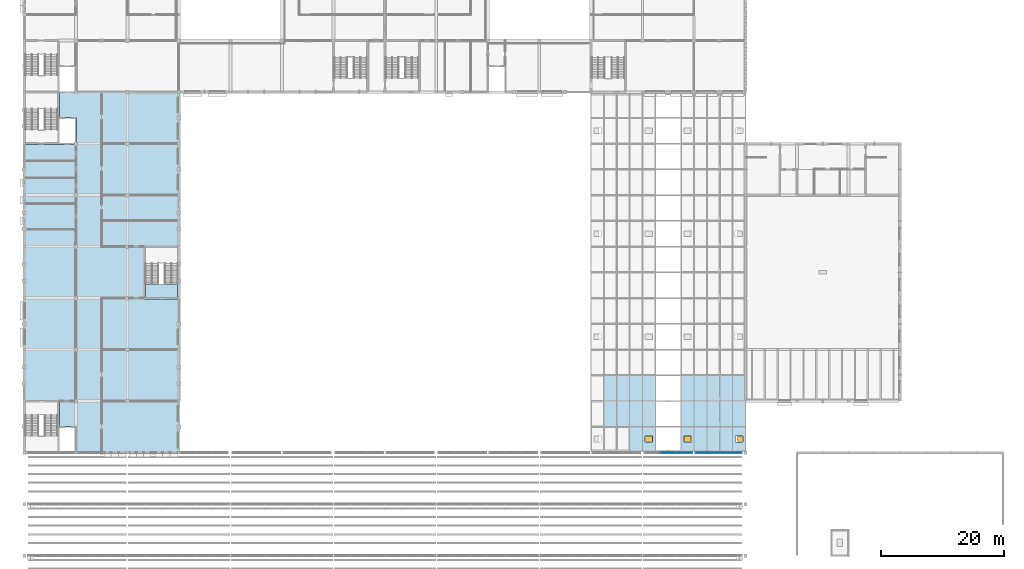
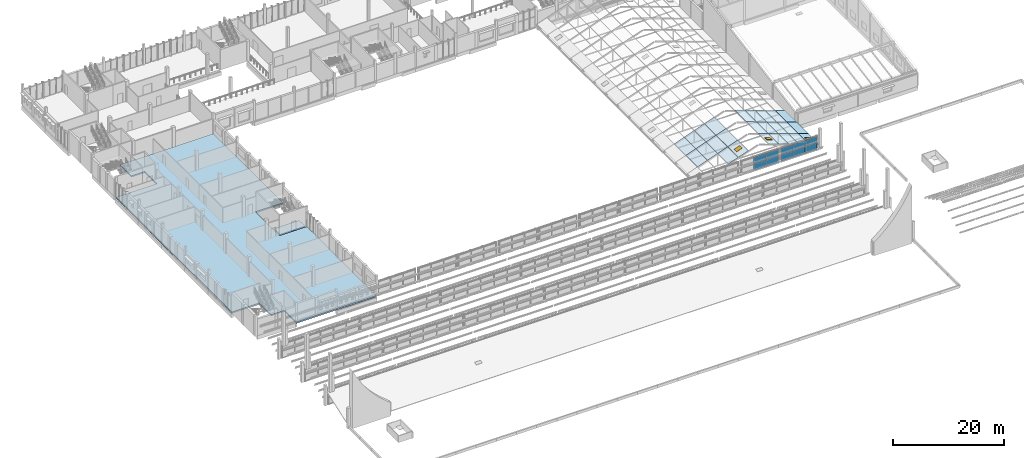
# One storey, part 85 of 116: 27 slabs, 10 plates, 3 windows, 3 openings, 3 elements without a shape of their own.
"""IFC4 building model written with IfcOpenShell, lengths in metres."""

from ifc_helpers import new_model, si_unit, direction, frame, origin, origin_2d, place, context, subcontext, project, spatial, polyline, rectangle, outline, extrude, material, layer, layer_set, type_object, element, fill, aggregate, save


model = new_model("IFC4")

# Units and contexts
model_context = context("Model", 3, precision=1e-05, world=origin(), true_north=direction((0.0, 1.0)))
body_context = subcontext(model_context, "Body", "Model", "MODEL_VIEW")
ifc_project = project(units=[si_unit("LENGTHUNIT", "METRE"), si_unit("AREAUNIT", "SQUARE_METRE"), si_unit("VOLUMEUNIT", "CUBIC_METRE"), si_unit("PLANEANGLEUNIT", "RADIAN"), si_unit("MASSUNIT", "GRAM", prefix="KILO")], contexts=[model_context])

# Site, building, storey
site_placement = place(None, origin())
site = spatial("IfcSite", under=ifc_project, at=site_placement, CompositionType="ELEMENT")
building_placement = place(site_placement, origin())
building = spatial("IfcBuilding", under=site, at=building_placement, Name="Fescue Hill Polytechnic", CompositionType="ELEMENT")
storey_placement = place(building_placement, frame((0.0, 0.0, 13.5)))
storey = spatial("IfcBuildingStorey", under=building, at=storey_placement, Name="L03", CompositionType="ELEMENT", Elevation=13.5)

# Curtain wall, plates
ifc_material_1 = material(Name="Aluminium and glass", Category="aluminium")
curtain_wall_type = type_object("IfcCurtainWallType", Name="Sawtooth north glazing curtain wall", PredefinedType="NOTDEFINED", material=ifc_material_1)
curtain_wall_1_placement = place(storey_placement, origin())
curtain_wall_1 = element("IfcCurtainWall", 1, at=curtain_wall_1_placement, inside=storey, type_object=curtain_wall_type, Name="Sawtooth 4 north glazing bay 7 part 1", PredefinedType="NOTDEFINED")
ifc_material_2 = material(Name="Glass", Category="glass")
ifc_layer_1 = layer(ifc_material_2, 0.028076171875)
ifc_layer_set_1 = layer_set([ifc_layer_1], Name="Glass")
plate_type = type_object("IfcPlateType", Name="Curtain wall glazing panel 28", PredefinedType="CURTAIN_PANEL", material=ifc_layer_set_1)
plate_1_placement = place(storey_placement, frame((105.050048828125, 50.39990234375, 0.06005859375), z_axis=(0.0, 0.0, 1.0), x_axis=(1.0, 0.0, 0.0)))
plate_1 = element("IfcPlate", 2, at=plate_1_placement, type_object=plate_type, Name="CW34 panel 2.1", PredefinedType="CURTAIN_PANEL", context=body_context, shape_type="SweptSolid", body=[
    extrude(rectangle(XDim=2.546630859375, YDim=0.028076171875, at=origin_2d()), origin(), (0.0, 0.0, 1.0), 1.409912109375),
])
plate_2_placement = place(storey_placement, frame((105.050048828125, 50.39990234375, 1.5302734375), z_axis=(0.0, 0.0, 1.0), x_axis=(1.0, 0.0, 0.0)))
plate_2 = element("IfcPlate", 3, at=plate_2_placement, type_object=plate_type, Name="CW34 panel 2.2", PredefinedType="CURTAIN_PANEL", context=body_context, shape_type="SweptSolid", body=[
    extrude(rectangle(XDim=2.546630859375, YDim=0.028076171875, at=origin_2d()), origin(), (0.0, 0.0, 1.0), 1.409912109375),
])
plate_3_placement = place(storey_placement, frame((107.6416015625, 50.39990234375, 0.06005859375), z_axis=(0.0, 0.0, 1.0), x_axis=(1.0, 0.0, 0.0)))
plate_3 = element("IfcPlate", 4, at=plate_3_placement, type_object=plate_type, Name="CW34 panel 3.1", PredefinedType="CURTAIN_PANEL", context=body_context, shape_type="SweptSolid", body=[
    extrude(rectangle(XDim=2.5166015625, YDim=0.028076171875, at=origin_2d()), origin(), (0.0, 0.0, 1.0), 1.409912109375),
])
plate_4_placement = place(storey_placement, frame((107.6416015625, 50.39990234375, 1.5302734375), z_axis=(0.0, 0.0, 1.0), x_axis=(1.0, 0.0, 0.0)))
plate_4 = element("IfcPlate", 5, at=plate_4_placement, type_object=plate_type, Name="CW34 panel 3.2", PredefinedType="CURTAIN_PANEL", context=body_context, shape_type="SweptSolid", body=[
    extrude(rectangle(XDim=2.5166015625, YDim=0.028076171875, at=origin_2d()), origin(), (0.0, 0.0, 1.0), 1.409912109375),
])
aggregate(curtain_wall_1, [plate_1, plate_2, plate_3, plate_4])

curtain_wall_2_placement = place(storey_placement, origin())
curtain_wall_2 = element("IfcCurtainWall", 6, at=curtain_wall_2_placement, inside=storey, type_object=curtain_wall_type, Name="Sawtooth 4 north glazing bay 7 part 2", PredefinedType="NOTDEFINED")
plate_5_placement = place(storey_placement, frame((110.719970703125, 50.39990234375, 0.06005859375), z_axis=(0.0, 0.0, 1.0), x_axis=(1.0, 0.0, 0.0)))
plate_5 = element("IfcPlate", 7, at=plate_5_placement, type_object=plate_type, Name="CW35 panel 1.1", PredefinedType="CURTAIN_PANEL", context=body_context, shape_type="SweptSolid", body=[
    extrude(rectangle(XDim=2.43994140625, YDim=0.028076171875, at=origin_2d()), origin(), (0.0, 0.0, 1.0), 1.409912109375),
])
plate_6_placement = place(storey_placement, frame((110.719970703125, 50.39990234375, 1.5302734375), z_axis=(0.0, 0.0, 1.0), x_axis=(1.0, 0.0, 0.0)))
plate_6 = element("IfcPlate", 8, at=plate_6_placement, type_object=plate_type, Name="CW35 panel 1.2", PredefinedType="CURTAIN_PANEL", context=body_context, shape_type="SweptSolid", body=[
    extrude(rectangle(XDim=2.43994140625, YDim=0.028076171875, at=origin_2d()), origin(), (0.0, 0.0, 1.0), 1.409912109375),
])
plate_7_placement = place(storey_placement, frame((113.235107421875, 50.39990234375, 0.06005859375), z_axis=(0.0, 0.0, 1.0), x_axis=(1.0, 0.0, 0.0)))
plate_7 = element("IfcPlate", 9, at=plate_7_placement, type_object=plate_type, Name="CW35 panel 2.1", PredefinedType="CURTAIN_PANEL", context=body_context, shape_type="SweptSolid", body=[
    extrude(rectangle(XDim=2.469970703125, YDim=0.028076171875, at=origin_2d()), origin(), (0.0, 0.0, 1.0), 1.409912109375),
])
plate_8_placement = place(storey_placement, frame((113.235107421875, 50.39990234375, 1.5302734375), z_axis=(0.0, 0.0, 1.0), x_axis=(1.0, 0.0, 0.0)))
plate_8 = element("IfcPlate", 10, at=plate_8_placement, type_object=plate_type, Name="CW35 panel 2.2", PredefinedType="CURTAIN_PANEL", context=body_context, shape_type="SweptSolid", body=[
    extrude(rectangle(XDim=2.469970703125, YDim=0.028076171875, at=origin_2d()), origin(), (0.0, 0.0, 1.0), 1.409912109375),
])
plate_9_placement = place(storey_placement, frame((115.75, 50.39990234375, 0.06005859375), z_axis=(0.0, 0.0, 1.0), x_axis=(1.0, 0.0, 0.0)))
plate_9 = element("IfcPlate", 11, at=plate_9_placement, type_object=plate_type, Name="CW35 panel 3.1", PredefinedType="CURTAIN_PANEL", context=body_context, shape_type="SweptSolid", body=[
    extrude(rectangle(XDim=2.43994140625, YDim=0.028076171875, at=origin_2d()), origin(), (0.0, 0.0, 1.0), 1.409912109375),
])
plate_10_placement = place(storey_placement, frame((115.75, 50.39990234375, 1.5302734375), z_axis=(0.0, 0.0, 1.0), x_axis=(1.0, 0.0, 0.0)))
plate_10 = element("IfcPlate", 12, at=plate_10_placement, type_object=plate_type, Name="CW35 panel 3.2", PredefinedType="CURTAIN_PANEL", context=body_context, shape_type="SweptSolid", body=[
    extrude(rectangle(XDim=2.43994140625, YDim=0.028076171875, at=origin_2d()), origin(), (0.0, 0.0, 1.0), 1.409912109375),
])
aggregate(curtain_wall_2, [plate_5, plate_6, plate_7, plate_8, plate_9, plate_10])

# Slab
ifc_material_3 = material(Name="Concrete 35 MPa", Category="concrete")
ifc_layer_2 = layer(ifc_material_3, 0.300048828125)
ifc_layer_set_2 = layer_set([ifc_layer_2], Name="Concrete 35 MPa")
slab_type_1 = type_object("IfcSlabType", Name="Floor slab 300", PredefinedType="FLOOR", material=ifc_layer_set_2)
slab_1_placement = place(storey_placement, frame((0.0, 0.0, -0.300048828125)))
element("IfcSlab", 13, at=slab_1_placement, inside=storey, type_object=slab_type_1, Name="SL-L03-V4-1", PredefinedType="FLOOR", context=body_context, shape_type="SweptSolid", body=[
    extrude(outline(polyline([(25.199951171875, 50.39990234375), (8.5, 50.39990234375), (8.5, 54.699951171875), (5.72509765625, 54.699951171875), (5.72509765625, 58.925048828125), (0.0, 58.925048828125), (0.0, 100.675048828125), (5.72509765625, 100.675048828125), (5.72509765625, 100.699951171875), (8.5, 100.699951171875), (8.5, 105.10009765625), (5.72509765625, 105.10009765625), (5.72509765625, 109.199951171875), (25.199951171875, 109.199951171875), (25.199951171875, 84.125), (19.47509765625, 84.125), (19.47509765625, 75.47509765625), (25.199951171875, 75.47509765625), (25.199951171875, 50.39990234375)])), origin(), (0.0, 0.0, 1.0), 0.300048828125),
])

# Stair, slab
stair_type = type_object("IfcStairType", Name="Half-turn stair 2150 flights", PredefinedType="HALF_TURN_STAIR", material=ifc_material_3)
stair_placement = place(storey_placement, origin())
stair = element("IfcStair", 14, at=stair_placement, inside=storey, type_object=stair_type, Name="L03 ST-V4-3 stair", PredefinedType="HALF_TURN_STAIR")
ifc_layer_3 = layer(ifc_material_3, 0.199951171875)
ifc_layer_set_3 = layer_set([ifc_layer_3], Name="Concrete 35 MPa")
slab_type_2 = type_object("IfcSlabType", Name="Stair landing slab 200", PredefinedType="LANDING", material=ifc_layer_set_3)
slab_2_placement = place(storey_placement, frame((0.0, 0.0, -0.199951171875)))
slab_2 = element("IfcSlab", 15, at=slab_2_placement, type_object=slab_type_2, Name="S17 landing 2", PredefinedType="LANDING", context=body_context, shape_type="SweptSolid", body=[
    extrude(outline(polyline([(19.72509765625, 75.72509765625), (24.97509765625, 75.72509765625), (24.97509765625, 77.875), (19.72509765625, 77.875), (19.72509765625, 75.72509765625)])), origin(), (0.0, 0.0, 1.0), 0.199951171875),
])
aggregate(stair, [slab_2])

# Slab
ifc_layer_4 = layer(ifc_material_2, 0.030029296875)
ifc_layer_set_4 = layer_set([ifc_layer_4], Name="Glass")
slab_type_3 = type_object("IfcSlabType", Name="Winter garden roof glazing 30", PredefinedType="ROOF", material=ifc_layer_set_4)
slab_3_placement = place(storey_placement, frame((98.69970703125, 50.75, 3.0224609375), z_axis=(-0.336294501436, 0.0, 0.941756873245), x_axis=(0.0, 1.0, 0.0)))
element("IfcSlab", 16, at=slab_3_placement, inside=storey, type_object=slab_type_3, Name="Winter garden roof glazing", PredefinedType="ROOF", context=body_context, shape_type="SweptSolid", body=[
    extrude(outline(polyline([(0.0, 0.0), (3.85009765625, 0.0), (3.85009765625, -2.214942687716117), (0.0, -2.214942687716117), (0.0, 0.0)])), origin(), (0.0, 0.0, -1.0), 0.030029296875),
])

# Slab, opening, window
slab_4_placement = place(storey_placement, frame((100.799560546875, 50.75, 3.7724609375), z_axis=(-0.336294501436, 0.0, 0.941756873245), x_axis=(0.0, 1.0, 0.0)))
slab_4 = element("IfcSlab", 17, at=slab_4_placement, inside=storey, type_object=slab_type_3, Name="Winter garden roof glazing", PredefinedType="ROOF", context=body_context, shape_type="SweptSolid", body=[
    extrude(outline(polyline([(0.0, 0.0), (3.85009765625, 0.0), (3.85009765625, -2.214942687716117), (0.0, -2.214942687716117), (0.0, 0.0)])), origin(), (0.0, 0.0, -1.0), 0.030029296875),
])
opening_1_placement = place(storey_placement, frame((101.85009765625, 52.64990234375, 3.801513671875)))
opening_1 = element("IfcOpeningElement", 18, at=opening_1_placement, cuts=slab_4, Name="Opening WH5", PredefinedType="OPENING", context=body_context, shape_type="SweptSolid", body=[
    extrude(rectangle(XDim=1.206787109375, YDim=0.93994140625, at=origin_2d()), origin(), (0.0, 0.0, 1.0), 0.660400390625),
])
ifc_material_4 = material(Name="Powder-coated aluminium and glass", Category="aluminium")
window_type = type_object("IfcWindowType", Name="Opening vent 900x1200", PartitioningType="SINGLE_PANEL", PredefinedType="SKYLIGHT", material=ifc_material_4)
window_1_placement = place(storey_placement, frame((101.85009765625, 52.64990234375, 4.147705078125), z_axis=(-0.336294501436, 0.0, 0.941756873245), x_axis=(0.0, 1.0, 0.0)))
window_1 = element("IfcWindow", 19, at=window_1_placement, inside=storey, type_object=window_type, Name="RLT-L03-WG-GLW-01-5", OverallHeight=1.199951171875, OverallWidth=0.89990234375, PartitioningType="SINGLE_PANEL", PredefinedType="SKYLIGHT", context=body_context, shape_type="SweptSolid", body=[
    extrude(rectangle(XDim=0.89990234375, YDim=1.199951171875, at=origin_2d()), origin(), (0.0, 0.0, -1.0), 0.030029296875),
])
fill(opening_1, window_1)

# Slabs
for number, where, z_axis, x_axis, name in (
    (20, (94.5, 54.60009765625, 1.5224609375), (-0.336329413726, 0.0, 0.941744405591), (0.0, 1.0, 0.0), "Winter garden roof glazing"),
    (21, (96.599853515625, 54.60009765625, 2.2724609375), (-0.336329413726, 0.0, 0.941744405591), (0.0, 1.0, 0.0), "Winter garden roof glazing"),
):
    element("IfcSlab", number, at=place(storey_placement, frame(where, z_axis=z_axis, x_axis=x_axis)), inside=storey, type_object=slab_type_3, Name=name, PredefinedType="ROOF", context=body_context, shape_type="SweptSolid", body=[
        extrude(outline(polyline([(0.0, 0.0), (4.199951171875, 0.0), (4.199951171875, -2.2147127681263368), (0.0, -2.2147127681263368), (0.0, 0.0)])), origin(), (0.0, 0.0, -1.0), 0.030029296875),
    ])
for number, where, z_axis, x_axis, name in (
    (22, (98.69970703125, 54.60009765625, 3.0224609375), (-0.336294501436, 0.0, 0.941756873245), (0.0, 1.0, 0.0), "Winter garden roof glazing"),
    (23, (100.799560546875, 54.60009765625, 3.7724609375), (-0.336294501436, 0.0, 0.941756873245), (0.0, 1.0, 0.0), "Winter garden roof glazing"),
):
    element("IfcSlab", number, at=place(storey_placement, frame(where, z_axis=z_axis, x_axis=x_axis)), inside=storey, type_object=slab_type_3, Name=name, PredefinedType="ROOF", context=body_context, shape_type="SweptSolid", body=[
        extrude(outline(polyline([(0.0, 0.0), (4.199951171875, 0.0), (4.199951171875, -2.214942687716117), (0.0, -2.214942687716117), (0.0, 0.0)])), origin(), (0.0, 0.0, -1.0), 0.030029296875),
    ])
for number, where, z_axis, x_axis, name in (
    (24, (94.5, 58.800048828125, 1.5224609375), (-0.336329413726, 0.0, 0.941744405591), (0.0, 1.0, 0.0), "Winter garden roof glazing"),
    (25, (96.599853515625, 58.800048828125, 2.2724609375), (-0.336329413726, 0.0, 0.941744405591), (0.0, 1.0, 0.0), "Winter garden roof glazing"),
):
    element("IfcSlab", number, at=place(storey_placement, frame(where, z_axis=z_axis, x_axis=x_axis)), inside=storey, type_object=slab_type_3, Name=name, PredefinedType="ROOF", context=body_context, shape_type="SweptSolid", body=[
        extrude(outline(polyline([(0.0, 0.0), (4.199951171875, 0.0), (4.199951171875, -2.2147127681263368), (0.0, -2.2147127681263368), (0.0, 0.0)])), origin(), (0.0, 0.0, -1.0), 0.030029296875),
    ])
for number, where, z_axis, x_axis, name in (
    (26, (98.69970703125, 58.800048828125, 3.0224609375), (-0.336294501436, 0.0, 0.941756873245), (0.0, 1.0, 0.0), "Winter garden roof glazing"),
    (27, (100.799560546875, 58.800048828125, 3.7724609375), (-0.336294501436, 0.0, 0.941756873245), (0.0, 1.0, 0.0), "Winter garden roof glazing"),
):
    element("IfcSlab", number, at=place(storey_placement, frame(where, z_axis=z_axis, x_axis=x_axis)), inside=storey, type_object=slab_type_3, Name=name, PredefinedType="ROOF", context=body_context, shape_type="SweptSolid", body=[
        extrude(outline(polyline([(0.0, 0.0), (4.199951171875, 0.0), (4.199951171875, -2.214942687716117), (0.0, -2.214942687716117), (0.0, 0.0)])), origin(), (0.0, 0.0, -1.0), 0.030029296875),
    ])

# Slab, opening, window
slab_5_placement = place(storey_placement, frame((117.60009765625, 50.75, 0.7724609375), z_axis=(0.336294501436, 0.0, 0.941756873245), x_axis=(0.0, 1.0, 0.0)))
slab_5 = element("IfcSlab", 28, at=slab_5_placement, inside=storey, type_object=slab_type_3, Name="Winter garden roof glazing", PredefinedType="ROOF", context=body_context, shape_type="SweptSolid", body=[
    extrude(outline(polyline([(0.0, 0.0), (3.85009765625, 0.0), (3.85009765625, 2.214942687716117), (0.0, 2.214942687716117), (0.0, 0.0)])), origin(), (0.0, 0.0, -1.0), 0.030029296875),
])
opening_2_placement = place(storey_placement, frame((116.56396484375, 52.64990234375, 0.79638671875)))
opening_2 = element("IfcOpeningElement", 29, at=opening_2_placement, cuts=slab_5, Name="Opening WH5", PredefinedType="OPENING", context=body_context, shape_type="SweptSolid", body=[
    extrude(rectangle(XDim=1.206787109375, YDim=0.93994140625, at=origin_2d()), origin(), (0.0, 0.0, 1.0), 0.660400390625),
])
window_2_placement = place(storey_placement, frame((116.56396484375, 52.64990234375, 1.142578125), z_axis=(0.336294501436, 0.0, 0.941756873245), x_axis=(0.0, 1.0, 0.0)))
window_2 = element("IfcWindow", 30, at=window_2_placement, inside=storey, type_object=window_type, Name="RLT-L03-WG-GLE-01-1", OverallHeight=1.199951171875, OverallWidth=0.89990234375, PartitioningType="SINGLE_PANEL", PredefinedType="SKYLIGHT", context=body_context, shape_type="SweptSolid", body=[
    extrude(rectangle(XDim=0.89990234375, YDim=1.199951171875, at=origin_2d()), origin(), (0.0, 0.0, -1.0), 0.030029296875),
])
fill(opening_2, window_2)

# Slabs
for number, where, z_axis, x_axis, name in (
    (31, (115.5, 50.75, 1.5224609375), (0.336329413726, 0.0, 0.941744405591), (0.0, 1.0, 0.0), "Winter garden roof glazing"),
    (32, (113.400146484375, 50.75, 2.2724609375), (0.336329413726, 0.0, 0.941744405591), (0.0, 1.0, 0.0), "Winter garden roof glazing"),
):
    element("IfcSlab", number, at=place(storey_placement, frame(where, z_axis=z_axis, x_axis=x_axis)), inside=storey, type_object=slab_type_3, Name=name, PredefinedType="ROOF", context=body_context, shape_type="SweptSolid", body=[
        extrude(outline(polyline([(0.0, 0.0), (3.85009765625, 0.0), (3.85009765625, 2.2147127681263363), (0.0, 2.2147127681263363), (0.0, 0.0)])), origin(), (0.0, 0.0, -1.0), 0.030029296875),
    ])
slab_6_placement = place(storey_placement, frame((111.30029296875, 50.75, 3.0224609375), z_axis=(0.336294501436, 0.0, 0.941756873245), x_axis=(0.0, 1.0, 0.0)))
element("IfcSlab", 33, at=slab_6_placement, inside=storey, type_object=slab_type_3, Name="Winter garden roof glazing", PredefinedType="ROOF", context=body_context, shape_type="SweptSolid", body=[
    extrude(outline(polyline([(0.0, 0.0), (3.85009765625, 0.0), (3.85009765625, 2.214942687716117), (0.0, 2.214942687716117), (0.0, 0.0)])), origin(), (0.0, 0.0, -1.0), 0.030029296875),
])

# Slab, opening, window
slab_7_placement = place(storey_placement, frame((109.200439453125, 50.75, 3.7724609375), z_axis=(0.336294501436, 0.0, 0.941756873245), x_axis=(0.0, 1.0, 0.0)))
slab_7 = element("IfcSlab", 34, at=slab_7_placement, inside=storey, type_object=slab_type_3, Name="Winter garden roof glazing", PredefinedType="ROOF", context=body_context, shape_type="SweptSolid", body=[
    extrude(outline(polyline([(0.0, 0.0), (3.85009765625, 0.0), (3.85009765625, 2.214942687716117), (0.0, 2.214942687716117), (0.0, 0.0)])), origin(), (0.0, 0.0, -1.0), 0.030029296875),
])
opening_3_placement = place(storey_placement, frame((108.1650390625, 52.64990234375, 3.796142578125)))
opening_3 = element("IfcOpeningElement", 35, at=opening_3_placement, cuts=slab_7, Name="Opening WH5", PredefinedType="OPENING", context=body_context, shape_type="SweptSolid", body=[
    extrude(rectangle(XDim=1.206787109375, YDim=0.93994140625, at=origin_2d()), origin(), (0.0, 0.0, 1.0), 0.660400390625),
])
window_3_placement = place(storey_placement, frame((108.1650390625, 52.64990234375, 4.14208984375), z_axis=(0.336294501436, 0.0, 0.941756873245), x_axis=(0.0, 1.0, 0.0)))
window_3 = element("IfcWindow", 36, at=window_3_placement, inside=storey, type_object=window_type, Name="RLT-L03-WG-GLE-01-5", OverallHeight=1.199951171875, OverallWidth=0.89990234375, PartitioningType="SINGLE_PANEL", PredefinedType="SKYLIGHT", context=body_context, shape_type="SweptSolid", body=[
    extrude(rectangle(XDim=0.89990234375, YDim=1.199951171875, at=origin_2d()), origin(), (0.0, 0.0, -1.0), 0.030029296875),
])
fill(opening_3, window_3)

# Slabs
slab_8_placement = place(storey_placement, frame((117.60009765625, 54.60009765625, 0.7724609375), z_axis=(0.336294501436, 0.0, 0.941756873245), x_axis=(0.0, 1.0, 0.0)))
element("IfcSlab", 37, at=slab_8_placement, inside=storey, type_object=slab_type_3, Name="Winter garden roof glazing", PredefinedType="ROOF", context=body_context, shape_type="SweptSolid", body=[
    extrude(outline(polyline([(0.0, 0.0), (4.199951171875, 0.0), (4.199951171875, 2.214942687716117), (0.0, 2.214942687716117), (0.0, 0.0)])), origin(), (0.0, 0.0, -1.0), 0.030029296875),
])
for number, where, z_axis, x_axis, name in (
    (38, (115.5, 54.60009765625, 1.5224609375), (0.336329413726, 0.0, 0.941744405591), (0.0, 1.0, 0.0), "Winter garden roof glazing"),
    (39, (113.400146484375, 54.60009765625, 2.2724609375), (0.336329413726, 0.0, 0.941744405591), (0.0, 1.0, 0.0), "Winter garden roof glazing"),
):
    element("IfcSlab", number, at=place(storey_placement, frame(where, z_axis=z_axis, x_axis=x_axis)), inside=storey, type_object=slab_type_3, Name=name, PredefinedType="ROOF", context=body_context, shape_type="SweptSolid", body=[
        extrude(outline(polyline([(0.0, 0.0), (4.199951171875, 0.0), (4.199951171875, 2.2147127681263368), (0.0, 2.2147127681263368), (0.0, 0.0)])), origin(), (0.0, 0.0, -1.0), 0.030029296875),
    ])
for number, where, z_axis, x_axis, name in (
    (40, (111.30029296875, 54.60009765625, 3.0224609375), (0.336294501436, 0.0, 0.941756873245), (0.0, 1.0, 0.0), "Winter garden roof glazing"),
    (41, (109.200439453125, 54.60009765625, 3.7724609375), (0.336294501436, 0.0, 0.941756873245), (0.0, 1.0, 0.0), "Winter garden roof glazing"),
    (42, (117.60009765625, 58.800048828125, 0.7724609375), (0.336294501436, 0.0, 0.941756873245), (0.0, 1.0, 0.0), "Winter garden roof glazing"),
):
    element("IfcSlab", number, at=place(storey_placement, frame(where, z_axis=z_axis, x_axis=x_axis)), inside=storey, type_object=slab_type_3, Name=name, PredefinedType="ROOF", context=body_context, shape_type="SweptSolid", body=[
        extrude(outline(polyline([(0.0, 0.0), (4.199951171875, 0.0), (4.199951171875, 2.214942687716117), (0.0, 2.214942687716117), (0.0, 0.0)])), origin(), (0.0, 0.0, -1.0), 0.030029296875),
    ])
for number, where, z_axis, x_axis, name in (
    (43, (115.5, 58.800048828125, 1.5224609375), (0.336329413726, 0.0, 0.941744405591), (0.0, 1.0, 0.0), "Winter garden roof glazing"),
    (44, (113.400146484375, 58.800048828125, 2.2724609375), (0.336329413726, 0.0, 0.941744405591), (0.0, 1.0, 0.0), "Winter garden roof glazing"),
):
    element("IfcSlab", number, at=place(storey_placement, frame(where, z_axis=z_axis, x_axis=x_axis)), inside=storey, type_object=slab_type_3, Name=name, PredefinedType="ROOF", context=body_context, shape_type="SweptSolid", body=[
        extrude(outline(polyline([(0.0, 0.0), (4.199951171875, 0.0), (4.199951171875, 2.2147127681263368), (0.0, 2.2147127681263368), (0.0, 0.0)])), origin(), (0.0, 0.0, -1.0), 0.030029296875),
    ])
for number, where, z_axis, x_axis, name in (
    (45, (111.30029296875, 58.800048828125, 3.0224609375), (0.336294501436, 0.0, 0.941756873245), (0.0, 1.0, 0.0), "Winter garden roof glazing"),
    (46, (109.200439453125, 58.800048828125, 3.7724609375), (0.336294501436, 0.0, 0.941756873245), (0.0, 1.0, 0.0), "Winter garden roof glazing"),
):
    element("IfcSlab", number, at=place(storey_placement, frame(where, z_axis=z_axis, x_axis=x_axis)), inside=storey, type_object=slab_type_3, Name=name, PredefinedType="ROOF", context=body_context, shape_type="SweptSolid", body=[
        extrude(outline(polyline([(0.0, 0.0), (4.199951171875, 0.0), (4.199951171875, 2.214942687716117), (0.0, 2.214942687716117), (0.0, 0.0)])), origin(), (0.0, 0.0, -1.0), 0.030029296875),
    ])

save(model, "model.ifc")
